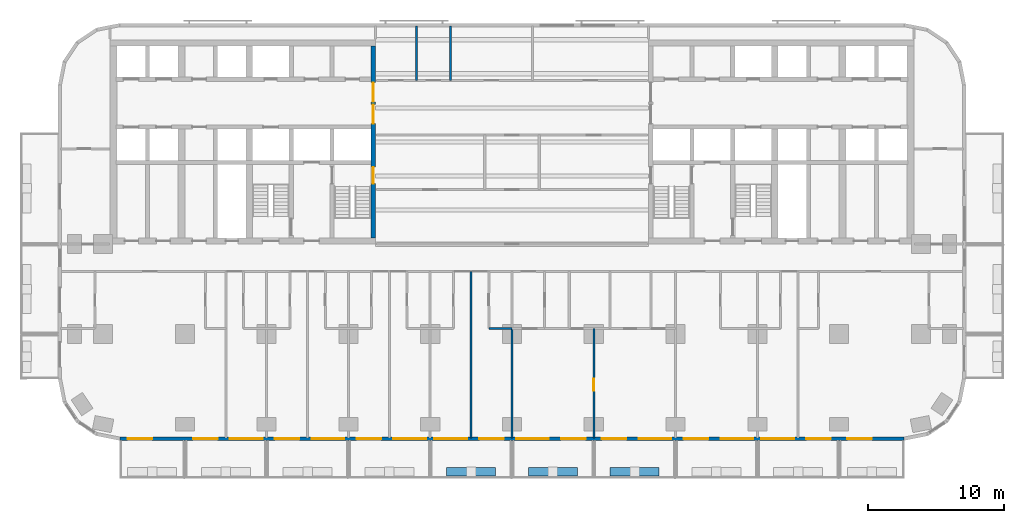
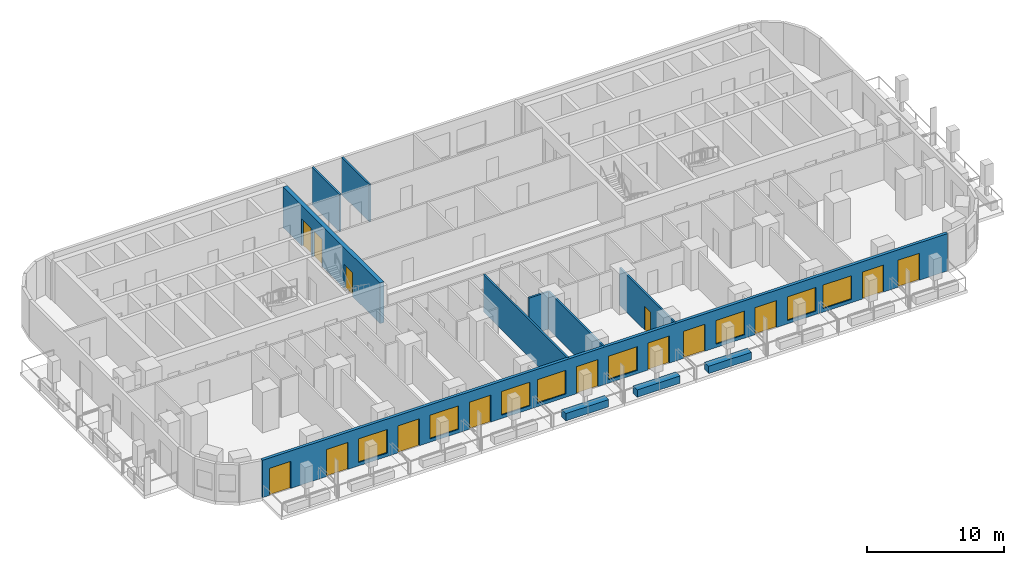
# One storey, part 4 of 13: 14 doors, 11 walls, 8 windows, 22 openings.
"""IFC4 building model written with IfcOpenShell, lengths in metres."""

from ifc_helpers import new_model, si_unit, direction, frame, frame_2d, origin, place, context, subcontext, project, spatial, rectangle, extrude, material, layer, layer_set, type_object, element, fill, save


model = new_model("IFC4")

# Units and contexts
model_context = context("Model", 3, precision=1e-05, world=origin(), true_north=direction((0.0, 1.0)))
body_context = subcontext(model_context, "Body", "Model", "MODEL_VIEW")
ifc_project = project(units=[si_unit("LENGTHUNIT", "METRE"), si_unit("AREAUNIT", "SQUARE_METRE"), si_unit("VOLUMEUNIT", "CUBIC_METRE"), si_unit("PLANEANGLEUNIT", "RADIAN"), si_unit("MASSUNIT", "GRAM", prefix="KILO")], contexts=[model_context])

# Site, building, storey
site_placement = place(None, origin())
site = spatial("IfcSite", under=ifc_project, at=site_placement, CompositionType="ELEMENT")
building_placement = place(site_placement, origin())
building = spatial("IfcBuilding", under=site, at=building_placement, Name="Torana Hotel and Residences", CompositionType="ELEMENT")
storey_placement = place(building_placement, frame((0.0, 0.0, 56.39990234375)))
storey = spatial("IfcBuildingStorey", under=building, at=storey_placement, Name="L13", CompositionType="ELEMENT", Elevation=56.39990234375)

# Wall, openings, doors
ifc_material_1 = material(Name="Concrete C80/95", Category="concrete")
ifc_layer_1 = layer(ifc_material_1, 0.35009765625)
ifc_layer_set_1 = layer_set([ifc_layer_1], Name="CORE WALL 350 C80/95")
wall_type_1 = type_object("IfcWallType", Name="CORE WALL 350 C80/95", PredefinedType="SHEAR", material=ifc_layer_set_1)
wall_1_placement = place(storey_placement, frame((-10.175048828125, -14.550048828125, 0.0), z_axis=(0.0, 0.0, 1.0), x_axis=(0.0, 1.0, 0.0)))
wall_1 = element("IfcWall", 1, at=wall_1_placement, inside=storey, type_object=wall_type_1, Name="Core wall W arch", PredefinedType="SHEAR", context=body_context, shape_type="SweptSolid", body=[
    extrude(rectangle(XDim=14.10009765625, YDim=0.35009765625, at=frame_2d((7.050048828125, 0.0))), origin(), (0.0, 0.0, 1.0), 3.60009765625),
])
opening_1_placement = place(wall_1_placement, frame((8.39990234375, 0.0, 0.0)))
opening_1 = element("IfcOpeningElement", 2, at=opening_1_placement, cuts=wall_1, Name="Opening L13-01", PredefinedType="OPENING", context=body_context, shape_type="SweptSolid", body=[
    extrude(rectangle(XDim=1.39990234375, YDim=2.39990234375, at=frame_2d((0.699951171875, 1.199951171875))), frame((0.0, 0.18505859375, 0.0), z_axis=(0.0, -1.0, 0.0), x_axis=(1.0, 0.0, 0.0)), (0.0, 0.0, 1.0), 0.3701171875),
])
opening_2_placement = place(wall_1_placement, frame((10.0, 0.0, 0.0)))
opening_2 = element("IfcOpeningElement", 3, at=opening_2_placement, cuts=wall_1, Name="Opening L13-02", PredefinedType="OPENING", context=body_context, shape_type="SweptSolid", body=[
    extrude(rectangle(XDim=1.39990234375, YDim=2.39990234375, at=frame_2d((0.699951171875, 1.199951171875))), frame((0.0, 0.18505859375, 0.0), z_axis=(0.0, -1.0, 0.0), x_axis=(1.0, 0.0, 0.0)), (0.0, 0.0, 1.0), 0.3701171875),
])
opening_3_placement = place(wall_1_placement, frame((4.0, 0.0, 0.0)))
opening_3 = element("IfcOpeningElement", 4, at=opening_3_placement, cuts=wall_1, Name="Opening L13-03", PredefinedType="OPENING", context=body_context, shape_type="SweptSolid", body=[
    extrude(rectangle(XDim=1.199951171875, YDim=2.10009765625, at=frame_2d((0.60009765625, 1.050048828125))), frame((0.0, 0.18505859375, 0.0), z_axis=(0.0, -1.0, 0.0), x_axis=(1.0, 0.0, 0.0)), (0.0, 0.0, 1.0), 0.3701171875),
])
ifc_material_2 = material(Name="Steel S235", Category="steel")
door_type_1 = type_object("IfcDoorType", Name="LOBBY FIRE DOOR D4 1400x2400", OperationType="DOUBLE_DOOR_SINGLE_SWING", PredefinedType="DOOR", material=ifc_material_2)
door_1_placement = place(opening_1_placement, origin())
door_1 = element("IfcDoor", 5, at=door_1_placement, inside=storey, type_object=door_type_1, Name="Lobby-1 door L13", OperationType="DOUBLE_DOOR_SINGLE_SWING", OverallHeight=2.39990234375, OverallWidth=1.39990234375, PredefinedType="DOOR", context=body_context, shape_type="SweptSolid", body=[
    extrude(rectangle(XDim=1.39990234375, YDim=2.39990234375, at=frame_2d((0.699951171875, 1.199951171875))), frame((0.0, 0.02490234375, 0.0), z_axis=(0.0, -1.0, 0.0), x_axis=(1.0, 0.0, 0.0)), (0.0, 0.0, 1.0), 0.050048828125),
])
fill(opening_1, door_1)
door_2_placement = place(opening_2_placement, origin())
door_2 = element("IfcDoor", 6, at=door_2_placement, inside=storey, type_object=door_type_1, Name="Lobby-2 door L13", OperationType="DOUBLE_DOOR_SINGLE_SWING", OverallHeight=2.39990234375, OverallWidth=1.39990234375, PredefinedType="DOOR", context=body_context, shape_type="SweptSolid", body=[
    extrude(rectangle(XDim=1.39990234375, YDim=2.39990234375, at=frame_2d((0.699951171875, 1.199951171875))), frame((0.0, 0.02490234375, 0.0), z_axis=(0.0, -1.0, 0.0), x_axis=(1.0, 0.0, 0.0)), (0.0, 0.0, 1.0), 0.050048828125),
])
fill(opening_2, door_2)
ifc_material_3 = material(Name="Steel S235", Category="steel")
door_type_2 = type_object("IfcDoorType", Name="STAIR FIRE DOOR D3 1200x2100", OperationType="SINGLE_SWING_LEFT", PredefinedType="DOOR", material=ifc_material_3)
door_3_placement = place(opening_3_placement, origin())
door_3 = element("IfcDoor", 7, at=door_3_placement, inside=storey, type_object=door_type_2, Name="Stair-A door L13", OperationType="SINGLE_SWING_LEFT", OverallHeight=2.10009765625, OverallWidth=1.199951171875, PredefinedType="DOOR", context=body_context, shape_type="SweptSolid", body=[
    extrude(rectangle(XDim=1.199951171875, YDim=2.10009765625, at=frame_2d((0.60009765625, 1.050048828125))), frame((0.0, 0.02490234375, 0.0), z_axis=(0.0, -1.0, 0.0), x_axis=(1.0, 0.0, 0.0)), (0.0, 0.0, 1.0), 0.050048828125),
])
fill(opening_3, door_3)

# Wall, openings, doors, windows
ifc_material_4 = material(Name="Black aluminium composite panel", Category="aluminium")
ifc_layer_2 = layer(ifc_material_4, 0.00390625, Name="Cladding", Category="cladding")
ifc_material_5 = material(Name="Ventilated air cavity")
ifc_layer_3 = layer(ifc_material_5, 0.0400390625, Name="Ventilated cavity", Category="cavity")
ifc_material_6 = material(Name="Mineral wool insulation")
ifc_layer_4 = layer(ifc_material_6, 0.090087890625, Name="Insulation", Category="insulation")
ifc_material_7 = material(Name="Steel S280GD", Category="steel")
ifc_layer_5 = layer(ifc_material_7, 0.092041015625, Name="Steel stud frame", Category="structure")
ifc_material_8 = material(Name="Fire rated plasterboard")
ifc_layer_6 = layer(ifc_material_8, 0.011962890625, Name="Inner board", Category="finish")
ifc_layer_7 = layer(ifc_material_8, 0.011962890625, Name="Second board", Category="finish")
ifc_layer_set_2 = layer_set([ifc_layer_2, ifc_layer_3, ifc_layer_4, ifc_layer_5, ifc_layer_6, ifc_layer_7], Name="EW1 EXTERNAL WALL BLACK METAL CLAD 250")
wall_type_2 = type_object("IfcWallType", Name="EW1 EXTERNAL WALL BLACK METAL CLAD 250", PredefinedType="SOLIDWALL", material=ifc_layer_set_2)
wall_2_placement = place(storey_placement, frame((-28.775390625, -29.27490234375, 0.0), z_axis=(0.0, 0.0, 1.0), x_axis=(1.0, 0.0, 0.0)))
wall_2 = element("IfcWall", 8, at=wall_2_placement, inside=storey, type_object=wall_type_2, Name="External wall L13 e0.14", PredefinedType="SOLIDWALL", context=body_context, shape_type="SweptSolid", body=[
    extrude(rectangle(XDim=57.55078125, YDim=0.25, at=frame_2d((28.775390625, 0.0))), origin(), (0.0, 0.0, 1.0), 3.320068359375),
])
opening_4_placement = place(wall_2_placement, frame((0.575439453125, 0.0, 0.0)))
opening_4 = element("IfcOpeningElement", 9, at=opening_4_placement, cuts=wall_2, Name="Opening L13-E01", PredefinedType="OPENING", context=body_context, shape_type="SweptSolid", body=[
    extrude(rectangle(XDim=1.800048828125, YDim=2.39990234375, at=frame_2d((0.89990234375, 1.199951171875))), frame((0.0, 0.135009765625, 0.0), z_axis=(0.0, -1.0, 0.0), x_axis=(1.0, 0.0, 0.0)), (0.0, 0.0, 1.0), 0.27001953125),
])
opening_5_placement = place(wall_2_placement, frame((5.37548828125, 0.0, 0.0)))
opening_5 = element("IfcOpeningElement", 10, at=opening_5_placement, cuts=wall_2, Name="Opening L13-E02", PredefinedType="OPENING", context=body_context, shape_type="SweptSolid", body=[
    extrude(rectangle(XDim=1.800048828125, YDim=2.39990234375, at=frame_2d((0.89990234375, 1.199951171875))), frame((0.0, 0.135009765625, 0.0), z_axis=(0.0, -1.0, 0.0), x_axis=(1.0, 0.0, 0.0)), (0.0, 0.0, 1.0), 0.27001953125),
])
opening_6_placement = place(wall_2_placement, frame((8.075439453125, 0.0, 0.300048828125)))
opening_6 = element("IfcOpeningElement", 11, at=opening_6_placement, cuts=wall_2, Name="Opening W1", PredefinedType="OPENING", context=body_context, shape_type="SweptSolid", body=[
    extrude(rectangle(XDim=2.39990234375, YDim=2.10009765625, at=frame_2d((1.199951171875, 1.050048828125))), frame((0.0, 0.135009765625, 0.0), z_axis=(0.0, -1.0, 0.0), x_axis=(1.0, 0.0, 0.0)), (0.0, 0.0, 1.0), 0.27001953125),
])
opening_7_placement = place(wall_2_placement, frame((11.37548828125, 0.0, 0.0)))
opening_7 = element("IfcOpeningElement", 12, at=opening_7_placement, cuts=wall_2, Name="Opening L13-E03", PredefinedType="OPENING", context=body_context, shape_type="SweptSolid", body=[
    extrude(rectangle(XDim=1.800048828125, YDim=2.39990234375, at=frame_2d((0.89990234375, 1.199951171875))), frame((0.0, 0.135009765625, 0.0), z_axis=(0.0, -1.0, 0.0), x_axis=(1.0, 0.0, 0.0)), (0.0, 0.0, 1.0), 0.27001953125),
])
opening_8_placement = place(wall_2_placement, frame((14.075439453125, 0.0, 0.300048828125)))
opening_8 = element("IfcOpeningElement", 13, at=opening_8_placement, cuts=wall_2, Name="Opening W1", PredefinedType="OPENING", context=body_context, shape_type="SweptSolid", body=[
    extrude(rectangle(XDim=2.39990234375, YDim=2.10009765625, at=frame_2d((1.199951171875, 1.050048828125))), frame((0.0, 0.135009765625, 0.0), z_axis=(0.0, -1.0, 0.0), x_axis=(1.0, 0.0, 0.0)), (0.0, 0.0, 1.0), 0.27001953125),
])
opening_9_placement = place(wall_2_placement, frame((17.37548828125, 0.0, 0.0)))
opening_9 = element("IfcOpeningElement", 14, at=opening_9_placement, cuts=wall_2, Name="Opening L13-E04", PredefinedType="OPENING", context=body_context, shape_type="SweptSolid", body=[
    extrude(rectangle(XDim=1.800048828125, YDim=2.39990234375, at=frame_2d((0.89990234375, 1.199951171875))), frame((0.0, 0.135009765625, 0.0), z_axis=(0.0, -1.0, 0.0), x_axis=(1.0, 0.0, 0.0)), (0.0, 0.0, 1.0), 0.27001953125),
])
opening_10_placement = place(wall_2_placement, frame((20.075439453125, 0.0, 0.300048828125)))
opening_10 = element("IfcOpeningElement", 15, at=opening_10_placement, cuts=wall_2, Name="Opening W1", PredefinedType="OPENING", context=body_context, shape_type="SweptSolid", body=[
    extrude(rectangle(XDim=2.39990234375, YDim=2.10009765625, at=frame_2d((1.199951171875, 1.050048828125))), frame((0.0, 0.135009765625, 0.0), z_axis=(0.0, -1.0, 0.0), x_axis=(1.0, 0.0, 0.0)), (0.0, 0.0, 1.0), 0.27001953125),
])
opening_11_placement = place(wall_2_placement, frame((23.075439453125, 0.0, 0.300048828125)))
opening_11 = element("IfcOpeningElement", 16, at=opening_11_placement, cuts=wall_2, Name="Opening W1", PredefinedType="OPENING", context=body_context, shape_type="SweptSolid", body=[
    extrude(rectangle(XDim=2.39990234375, YDim=2.10009765625, at=frame_2d((1.199951171875, 1.050048828125))), frame((0.0, 0.135009765625, 0.0), z_axis=(0.0, -1.0, 0.0), x_axis=(1.0, 0.0, 0.0)), (0.0, 0.0, 1.0), 0.27001953125),
])
opening_12_placement = place(wall_2_placement, frame((26.37548828125, 0.0, 0.0)))
opening_12 = element("IfcOpeningElement", 17, at=opening_12_placement, cuts=wall_2, Name="Opening L13-E05", PredefinedType="OPENING", context=body_context, shape_type="SweptSolid", body=[
    extrude(rectangle(XDim=1.800048828125, YDim=2.39990234375, at=frame_2d((0.89990234375, 1.199951171875))), frame((0.0, 0.135009765625, 0.0), z_axis=(0.0, -1.0, 0.0), x_axis=(1.0, 0.0, 0.0)), (0.0, 0.0, 1.0), 0.27001953125),
])
opening_13_placement = place(wall_2_placement, frame((29.075439453125, 0.0, 0.300048828125)))
opening_13 = element("IfcOpeningElement", 18, at=opening_13_placement, cuts=wall_2, Name="Opening W1", PredefinedType="OPENING", context=body_context, shape_type="SweptSolid", body=[
    extrude(rectangle(XDim=2.39990234375, YDim=2.10009765625, at=frame_2d((1.199951171875, 1.050048828125))), frame((0.0, 0.135009765625, 0.0), z_axis=(0.0, -1.0, 0.0), x_axis=(1.0, 0.0, 0.0)), (0.0, 0.0, 1.0), 0.27001953125),
])
opening_14_placement = place(wall_2_placement, frame((32.37548828125, 0.0, 0.0)))
opening_14 = element("IfcOpeningElement", 19, at=opening_14_placement, cuts=wall_2, Name="Opening L13-E06", PredefinedType="OPENING", context=body_context, shape_type="SweptSolid", body=[
    extrude(rectangle(XDim=1.800048828125, YDim=2.39990234375, at=frame_2d((0.89990234375, 1.199951171875))), frame((0.0, 0.135009765625, 0.0), z_axis=(0.0, -1.0, 0.0), x_axis=(1.0, 0.0, 0.0)), (0.0, 0.0, 1.0), 0.27001953125),
])
opening_15_placement = place(wall_2_placement, frame((35.37548828125, 0.0, 0.0)))
opening_15 = element("IfcOpeningElement", 20, at=opening_15_placement, cuts=wall_2, Name="Opening L13-E07", PredefinedType="OPENING", context=body_context, shape_type="SweptSolid", body=[
    extrude(rectangle(XDim=1.800048828125, YDim=2.39990234375, at=frame_2d((0.89990234375, 1.199951171875))), frame((0.0, 0.135009765625, 0.0), z_axis=(0.0, -1.0, 0.0), x_axis=(1.0, 0.0, 0.0)), (0.0, 0.0, 1.0), 0.27001953125),
])
opening_16_placement = place(wall_2_placement, frame((38.075439453125, 0.0, 0.300048828125)))
opening_16 = element("IfcOpeningElement", 21, at=opening_16_placement, cuts=wall_2, Name="Opening W1", PredefinedType="OPENING", context=body_context, shape_type="SweptSolid", body=[
    extrude(rectangle(XDim=2.39990234375, YDim=2.10009765625, at=frame_2d((1.199951171875, 1.050048828125))), frame((0.0, 0.135009765625, 0.0), z_axis=(0.0, -1.0, 0.0), x_axis=(1.0, 0.0, 0.0)), (0.0, 0.0, 1.0), 0.27001953125),
])
opening_17_placement = place(wall_2_placement, frame((41.37548828125, 0.0, 0.0)))
opening_17 = element("IfcOpeningElement", 22, at=opening_17_placement, cuts=wall_2, Name="Opening L13-E08", PredefinedType="OPENING", context=body_context, shape_type="SweptSolid", body=[
    extrude(rectangle(XDim=1.800048828125, YDim=2.39990234375, at=frame_2d((0.89990234375, 1.199951171875))), frame((0.0, 0.135009765625, 0.0), z_axis=(0.0, -1.0, 0.0), x_axis=(1.0, 0.0, 0.0)), (0.0, 0.0, 1.0), 0.27001953125),
])
opening_18_placement = place(wall_2_placement, frame((44.075439453125, 0.0, 0.300048828125)))
opening_18 = element("IfcOpeningElement", 23, at=opening_18_placement, cuts=wall_2, Name="Opening W1", PredefinedType="OPENING", context=body_context, shape_type="SweptSolid", body=[
    extrude(rectangle(XDim=2.39990234375, YDim=2.10009765625, at=frame_2d((1.199951171875, 1.050048828125))), frame((0.0, 0.135009765625, 0.0), z_axis=(0.0, -1.0, 0.0), x_axis=(1.0, 0.0, 0.0)), (0.0, 0.0, 1.0), 0.27001953125),
])
opening_19_placement = place(wall_2_placement, frame((47.075439453125, 0.0, 0.300048828125)))
opening_19 = element("IfcOpeningElement", 24, at=opening_19_placement, cuts=wall_2, Name="Opening W1", PredefinedType="OPENING", context=body_context, shape_type="SweptSolid", body=[
    extrude(rectangle(XDim=2.39990234375, YDim=2.10009765625, at=frame_2d((1.199951171875, 1.050048828125))), frame((0.0, 0.135009765625, 0.0), z_axis=(0.0, -1.0, 0.0), x_axis=(1.0, 0.0, 0.0)), (0.0, 0.0, 1.0), 0.27001953125),
])
opening_20_placement = place(wall_2_placement, frame((50.37548828125, 0.0, 0.0)))
opening_20 = element("IfcOpeningElement", 25, at=opening_20_placement, cuts=wall_2, Name="Opening L13-E09", PredefinedType="OPENING", context=body_context, shape_type="SweptSolid", body=[
    extrude(rectangle(XDim=1.800048828125, YDim=2.39990234375, at=frame_2d((0.89990234375, 1.199951171875))), frame((0.0, 0.135009765625, 0.0), z_axis=(0.0, -1.0, 0.0), x_axis=(1.0, 0.0, 0.0)), (0.0, 0.0, 1.0), 0.27001953125),
])
opening_21_placement = place(wall_2_placement, frame((53.37548828125, 0.0, 0.0)))
opening_21 = element("IfcOpeningElement", 26, at=opening_21_placement, cuts=wall_2, Name="Opening L13-E10", PredefinedType="OPENING", context=body_context, shape_type="SweptSolid", body=[
    extrude(rectangle(XDim=1.800048828125, YDim=2.39990234375, at=frame_2d((0.89990234375, 1.199951171875))), frame((0.0, 0.135009765625, 0.0), z_axis=(0.0, -1.0, 0.0), x_axis=(1.0, 0.0, 0.0)), (0.0, 0.0, 1.0), 0.27001953125),
])
ifc_material_9 = material(Name="Dark glass in black aluminium frame", Category="aluminium")
door_type_3 = type_object("IfcDoorType", Name="DB1 BALCONY DOOR 1800x2400", OperationType="DOUBLE_DOOR_SINGLE_SWING", PredefinedType="DOOR", material=ifc_material_9)
door_4_placement = place(opening_4_placement, origin())
door_4 = element("IfcDoor", 27, at=door_4_placement, inside=storey, type_object=door_type_3, Name="Balcony door L13", OperationType="DOUBLE_DOOR_SINGLE_SWING", OverallHeight=2.39990234375, OverallWidth=1.800048828125, PredefinedType="DOOR", context=body_context, shape_type="SweptSolid", body=[
    extrude(rectangle(XDim=1.800048828125, YDim=2.39990234375, at=frame_2d((0.89990234375, 1.199951171875))), frame((0.0, 0.02490234375, 0.0), z_axis=(0.0, -1.0, 0.0), x_axis=(1.0, 0.0, 0.0)), (0.0, 0.0, 1.0), 0.050048828125),
])
fill(opening_4, door_4)
door_5_placement = place(opening_5_placement, frame((0.89990234375, 0.0, 0.0), z_axis=(0.0, 0.0, 1.0), x_axis=(-1.0, 0.0, 0.0)))
door_5 = element("IfcDoor", 28, at=door_5_placement, inside=storey, type_object=door_type_3, Name="Balcony door L13", OperationType="DOUBLE_DOOR_SINGLE_SWING", OverallHeight=2.39990234375, OverallWidth=1.800048828125, PredefinedType="DOOR", context=body_context, shape_type="SweptSolid", body=[
    extrude(rectangle(XDim=1.800048828125, YDim=2.39990234375, at=frame_2d((0.0, 1.199951171875))), frame((0.0, -0.02490234375, 0.0), z_axis=(0.0, 1.0, 0.0), x_axis=(-1.0, 0.0, 0.0)), (0.0, 0.0, 1.0), 0.050048828125),
])
fill(opening_5, door_5)
door_6_placement = place(opening_7_placement, frame((0.89990234375, 0.0, 0.0), z_axis=(0.0, 0.0, 1.0), x_axis=(-1.0, 0.0, 0.0)))
door_6 = element("IfcDoor", 29, at=door_6_placement, inside=storey, type_object=door_type_3, Name="Balcony door L13", OperationType="DOUBLE_DOOR_SINGLE_SWING", OverallHeight=2.39990234375, OverallWidth=1.800048828125, PredefinedType="DOOR", context=body_context, shape_type="SweptSolid", body=[
    extrude(rectangle(XDim=1.800048828125, YDim=2.39990234375, at=frame_2d((0.0, 1.199951171875))), frame((0.0, -0.02490234375, 0.0), z_axis=(0.0, 1.0, 0.0), x_axis=(-1.0, 0.0, 0.0)), (0.0, 0.0, 1.0), 0.050048828125),
])
fill(opening_7, door_6)
door_7_placement = place(opening_9_placement, frame((0.89990234375, 0.0, 0.0), z_axis=(0.0, 0.0, 1.0), x_axis=(-1.0, 0.0, 0.0)))
door_7 = element("IfcDoor", 30, at=door_7_placement, inside=storey, type_object=door_type_3, Name="Balcony door L13", OperationType="DOUBLE_DOOR_SINGLE_SWING", OverallHeight=2.39990234375, OverallWidth=1.800048828125, PredefinedType="DOOR", context=body_context, shape_type="SweptSolid", body=[
    extrude(rectangle(XDim=1.800048828125, YDim=2.39990234375, at=frame_2d((0.0, 1.199951171875))), frame((0.0, -0.02490234375, 0.0), z_axis=(0.0, 1.0, 0.0), x_axis=(-1.0, 0.0, 0.0)), (0.0, 0.0, 1.0), 0.050048828125),
])
fill(opening_9, door_7)
door_8_placement = place(opening_12_placement, frame((0.89990234375, 0.0, 0.0), z_axis=(0.0, 0.0, 1.0), x_axis=(-1.0, 0.0, 0.0)))
door_8 = element("IfcDoor", 31, at=door_8_placement, inside=storey, type_object=door_type_3, Name="Balcony door L13", OperationType="DOUBLE_DOOR_SINGLE_SWING", OverallHeight=2.39990234375, OverallWidth=1.800048828125, PredefinedType="DOOR", context=body_context, shape_type="SweptSolid", body=[
    extrude(rectangle(XDim=1.800048828125, YDim=2.39990234375, at=frame_2d((0.0, 1.199951171875))), frame((0.0, -0.02490234375, 0.0), z_axis=(0.0, 1.0, 0.0), x_axis=(-1.0, 0.0, 0.0)), (0.0, 0.0, 1.0), 0.050048828125),
])
fill(opening_12, door_8)
door_9_placement = place(opening_14_placement, frame((0.89990234375, 0.0, 0.0), z_axis=(0.0, 0.0, 1.0), x_axis=(-1.0, 0.0, 0.0)))
door_9 = element("IfcDoor", 32, at=door_9_placement, inside=storey, type_object=door_type_3, Name="Balcony door L13", OperationType="DOUBLE_DOOR_SINGLE_SWING", OverallHeight=2.39990234375, OverallWidth=1.800048828125, PredefinedType="DOOR", context=body_context, shape_type="SweptSolid", body=[
    extrude(rectangle(XDim=1.800048828125, YDim=2.39990234375, at=frame_2d((0.0, 1.199951171875))), frame((0.0, -0.02490234375, 0.0), z_axis=(0.0, 1.0, 0.0), x_axis=(-1.0, 0.0, 0.0)), (0.0, 0.0, 1.0), 0.050048828125),
])
fill(opening_14, door_9)
door_10_placement = place(opening_15_placement, frame((0.89990234375, 0.0, 0.0), z_axis=(0.0, 0.0, 1.0), x_axis=(-1.0, 0.0, 0.0)))
door_10 = element("IfcDoor", 33, at=door_10_placement, inside=storey, type_object=door_type_3, Name="Balcony door L13", OperationType="DOUBLE_DOOR_SINGLE_SWING", OverallHeight=2.39990234375, OverallWidth=1.800048828125, PredefinedType="DOOR", context=body_context, shape_type="SweptSolid", body=[
    extrude(rectangle(XDim=1.800048828125, YDim=2.39990234375, at=frame_2d((0.0, 1.199951171875))), frame((0.0, -0.02490234375, 0.0), z_axis=(0.0, 1.0, 0.0), x_axis=(-1.0, 0.0, 0.0)), (0.0, 0.0, 1.0), 0.050048828125),
])
fill(opening_15, door_10)
door_11_placement = place(opening_17_placement, frame((0.89990234375, 0.0, 0.0), z_axis=(0.0, 0.0, 1.0), x_axis=(-1.0, 0.0, 0.0)))
door_11 = element("IfcDoor", 34, at=door_11_placement, inside=storey, type_object=door_type_3, Name="Balcony door L13", OperationType="DOUBLE_DOOR_SINGLE_SWING", OverallHeight=2.39990234375, OverallWidth=1.800048828125, PredefinedType="DOOR", context=body_context, shape_type="SweptSolid", body=[
    extrude(rectangle(XDim=1.800048828125, YDim=2.39990234375, at=frame_2d((0.0, 1.199951171875))), frame((0.0, -0.02490234375, 0.0), z_axis=(0.0, 1.0, 0.0), x_axis=(-1.0, 0.0, 0.0)), (0.0, 0.0, 1.0), 0.050048828125),
])
fill(opening_17, door_11)
door_12_placement = place(opening_20_placement, frame((0.89990234375, 0.0, 0.0), z_axis=(0.0, 0.0, 1.0), x_axis=(-1.0, 0.0, 0.0)))
door_12 = element("IfcDoor", 35, at=door_12_placement, inside=storey, type_object=door_type_3, Name="Balcony door L13", OperationType="DOUBLE_DOOR_SINGLE_SWING", OverallHeight=2.39990234375, OverallWidth=1.800048828125, PredefinedType="DOOR", context=body_context, shape_type="SweptSolid", body=[
    extrude(rectangle(XDim=1.800048828125, YDim=2.39990234375, at=frame_2d((0.0, 1.199951171875))), frame((0.0, -0.02490234375, 0.0), z_axis=(0.0, 1.0, 0.0), x_axis=(-1.0, 0.0, 0.0)), (0.0, 0.0, 1.0), 0.050048828125),
])
fill(opening_20, door_12)
door_13_placement = place(opening_21_placement, frame((0.89990234375, 0.0, 0.0), z_axis=(0.0, 0.0, 1.0), x_axis=(-1.0, 0.0, 0.0)))
door_13 = element("IfcDoor", 36, at=door_13_placement, inside=storey, type_object=door_type_3, Name="Balcony door L13", OperationType="DOUBLE_DOOR_SINGLE_SWING", OverallHeight=2.39990234375, OverallWidth=1.800048828125, PredefinedType="DOOR", context=body_context, shape_type="SweptSolid", body=[
    extrude(rectangle(XDim=1.800048828125, YDim=2.39990234375, at=frame_2d((0.0, 1.199951171875))), frame((0.0, -0.02490234375, 0.0), z_axis=(0.0, 1.0, 0.0), x_axis=(-1.0, 0.0, 0.0)), (0.0, 0.0, 1.0), 0.050048828125),
])
fill(opening_21, door_13)
ifc_material_10 = material(Name="Dark glass in black aluminium frame", Category="aluminium")
window_type = type_object("IfcWindowType", Name="W1 HOTEL ROOM WINDOW 2400x2100", PartitioningType="SINGLE_PANEL", PredefinedType="WINDOW", material=ifc_material_10)
window_1_placement = place(opening_6_placement, origin())
window_1 = element("IfcWindow", 37, at=window_1_placement, inside=storey, type_object=window_type, Name="Window L13", OverallHeight=2.10009765625, OverallWidth=2.39990234375, PartitioningType="SINGLE_PANEL", PredefinedType="WINDOW", context=body_context, shape_type="SweptSolid", body=[
    extrude(rectangle(XDim=2.39990234375, YDim=2.10009765625, at=frame_2d((1.199951171875, 1.050048828125))), frame((0.0, 0.030029296875, 0.0), z_axis=(0.0, -1.0, 0.0), x_axis=(1.0, 0.0, 0.0)), (0.0, 0.0, 1.0), 0.06005859375),
])
fill(opening_6, window_1)
window_2_placement = place(opening_8_placement, origin())
window_2 = element("IfcWindow", 38, at=window_2_placement, inside=storey, type_object=window_type, Name="Window L13", OverallHeight=2.10009765625, OverallWidth=2.39990234375, PartitioningType="SINGLE_PANEL", PredefinedType="WINDOW", context=body_context, shape_type="SweptSolid", body=[
    extrude(rectangle(XDim=2.39990234375, YDim=2.10009765625, at=frame_2d((1.199951171875, 1.050048828125))), frame((0.0, 0.030029296875, 0.0), z_axis=(0.0, -1.0, 0.0), x_axis=(1.0, 0.0, 0.0)), (0.0, 0.0, 1.0), 0.06005859375),
])
fill(opening_8, window_2)
window_3_placement = place(opening_10_placement, origin())
window_3 = element("IfcWindow", 39, at=window_3_placement, inside=storey, type_object=window_type, Name="Window L13", OverallHeight=2.10009765625, OverallWidth=2.39990234375, PartitioningType="SINGLE_PANEL", PredefinedType="WINDOW", context=body_context, shape_type="SweptSolid", body=[
    extrude(rectangle(XDim=2.39990234375, YDim=2.10009765625, at=frame_2d((1.199951171875, 1.050048828125))), frame((0.0, 0.030029296875, 0.0), z_axis=(0.0, -1.0, 0.0), x_axis=(1.0, 0.0, 0.0)), (0.0, 0.0, 1.0), 0.06005859375),
])
fill(opening_10, window_3)
window_4_placement = place(opening_11_placement, origin())
window_4 = element("IfcWindow", 40, at=window_4_placement, inside=storey, type_object=window_type, Name="Window L13", OverallHeight=2.10009765625, OverallWidth=2.39990234375, PartitioningType="SINGLE_PANEL", PredefinedType="WINDOW", context=body_context, shape_type="SweptSolid", body=[
    extrude(rectangle(XDim=2.39990234375, YDim=2.10009765625, at=frame_2d((1.199951171875, 1.050048828125))), frame((0.0, 0.030029296875, 0.0), z_axis=(0.0, -1.0, 0.0), x_axis=(1.0, 0.0, 0.0)), (0.0, 0.0, 1.0), 0.06005859375),
])
fill(opening_11, window_4)
window_5_placement = place(opening_13_placement, origin())
window_5 = element("IfcWindow", 41, at=window_5_placement, inside=storey, type_object=window_type, Name="Window L13", OverallHeight=2.10009765625, OverallWidth=2.39990234375, PartitioningType="SINGLE_PANEL", PredefinedType="WINDOW", context=body_context, shape_type="SweptSolid", body=[
    extrude(rectangle(XDim=2.39990234375, YDim=2.10009765625, at=frame_2d((1.199951171875, 1.050048828125))), frame((0.0, 0.030029296875, 0.0), z_axis=(0.0, -1.0, 0.0), x_axis=(1.0, 0.0, 0.0)), (0.0, 0.0, 1.0), 0.06005859375),
])
fill(opening_13, window_5)
window_6_placement = place(opening_16_placement, origin())
window_6 = element("IfcWindow", 42, at=window_6_placement, inside=storey, type_object=window_type, Name="Window L13", OverallHeight=2.10009765625, OverallWidth=2.39990234375, PartitioningType="SINGLE_PANEL", PredefinedType="WINDOW", context=body_context, shape_type="SweptSolid", body=[
    extrude(rectangle(XDim=2.39990234375, YDim=2.10009765625, at=frame_2d((1.199951171875, 1.050048828125))), frame((0.0, 0.030029296875, 0.0), z_axis=(0.0, -1.0, 0.0), x_axis=(1.0, 0.0, 0.0)), (0.0, 0.0, 1.0), 0.06005859375),
])
fill(opening_16, window_6)
window_7_placement = place(opening_18_placement, origin())
window_7 = element("IfcWindow", 43, at=window_7_placement, inside=storey, type_object=window_type, Name="Window L13", OverallHeight=2.10009765625, OverallWidth=2.39990234375, PartitioningType="SINGLE_PANEL", PredefinedType="WINDOW", context=body_context, shape_type="SweptSolid", body=[
    extrude(rectangle(XDim=2.39990234375, YDim=2.10009765625, at=frame_2d((1.199951171875, 1.050048828125))), frame((0.0, 0.030029296875, 0.0), z_axis=(0.0, -1.0, 0.0), x_axis=(1.0, 0.0, 0.0)), (0.0, 0.0, 1.0), 0.06005859375),
])
fill(opening_18, window_7)
window_8_placement = place(opening_19_placement, origin())
window_8 = element("IfcWindow", 44, at=window_8_placement, inside=storey, type_object=window_type, Name="Window L13", OverallHeight=2.10009765625, OverallWidth=2.39990234375, PartitioningType="SINGLE_PANEL", PredefinedType="WINDOW", context=body_context, shape_type="SweptSolid", body=[
    extrude(rectangle(XDim=2.39990234375, YDim=2.10009765625, at=frame_2d((1.199951171875, 1.050048828125))), frame((0.0, 0.030029296875, 0.0), z_axis=(0.0, -1.0, 0.0), x_axis=(1.0, 0.0, 0.0)), (0.0, 0.0, 1.0), 0.06005859375),
])
fill(opening_19, window_8)

# Wall, opening, door
ifc_material_11 = material(Name="Gypsum plasterboard")
ifc_layer_8 = layer(ifc_material_11, 0.012451171875, Name="Plasterboard", Category="finish")
ifc_layer_9 = layer(ifc_material_11, 0.012451171875, Name="Plasterboard", Category="finish")
ifc_layer_10 = layer(ifc_material_7, 0.10009765625, Name="Steel studs with mineral wool", Category="insulation")
ifc_layer_11 = layer(ifc_material_11, 0.012451171875, Name="Plasterboard", Category="finish")
ifc_layer_12 = layer(ifc_material_11, 0.012451171875, Name="Plasterboard", Category="finish")
ifc_layer_set_3 = layer_set([ifc_layer_8, ifc_layer_9, ifc_layer_10, ifc_layer_11, ifc_layer_12], Name="PARTITION 150 PLASTERBOARD")
wall_type_3 = type_object("IfcWallType", Name="PARTITION 150 PLASTERBOARD", PredefinedType="PARTITIONING", material=ifc_layer_set_3)
wall_3_placement = place(storey_placement, frame((6.0, -29.219970703125, 0.0), z_axis=(0.0, 0.0, 1.0), x_axis=(0.0, 1.0, 0.0)))
wall_3 = element("IfcWall", 45, at=wall_3_placement, inside=storey, type_object=wall_type_3, Name="Partition L13", PredefinedType="PARTITIONING", context=body_context, shape_type="SweptSolid", body=[
    extrude(rectangle(XDim=8.02001953125, YDim=0.14990234375, at=frame_2d((4.010009765625, 0.0))), origin(), (0.0, 0.0, 1.0), 3.320068359375),
])
opening_22_placement = place(wall_3_placement, frame((3.449951171875, 0.0, 0.0)))
opening_22 = element("IfcOpeningElement", 46, at=opening_22_placement, cuts=wall_3, Name="Opening L13-68", PredefinedType="OPENING", context=body_context, shape_type="SweptSolid", body=[
    extrude(rectangle(XDim=0.89990234375, YDim=2.10009765625, at=frame_2d((0.449951171875, 1.050048828125))), frame((0.0, 0.0849609375, 0.0), z_axis=(0.0, -1.0, 0.0), x_axis=(1.0, 0.0, 0.0)), (0.0, 0.0, 1.0), 0.169921875),
])
ifc_material_12 = material(Name="Timber door, oiled ash", Category="wood")
door_type_4 = type_object("IfcDoorType", Name="ROOM DOOR D7 900x2100", OperationType="SINGLE_SWING_LEFT", PredefinedType="DOOR", material=ifc_material_12)
door_14_placement = place(opening_22_placement, origin())
door_14 = element("IfcDoor", 47, at=door_14_placement, inside=storey, type_object=door_type_4, Name="Door L13", OperationType="SINGLE_SWING_RIGHT", OverallHeight=2.10009765625, OverallWidth=0.89990234375, PredefinedType="DOOR", context=body_context, shape_type="SweptSolid", body=[
    extrude(rectangle(XDim=0.89990234375, YDim=2.10009765625, at=frame_2d((0.449951171875, 1.050048828125))), frame((0.0, 0.02490234375, 0.0), z_axis=(0.0, -1.0, 0.0), x_axis=(1.0, 0.0, 0.0)), (0.0, 0.0, 1.0), 0.050048828125),
])
fill(opening_22, door_14)

# Walls
wall_4_placement = place(storey_placement, frame((0.0, -29.219970703125, 0.0), z_axis=(0.0, 0.0, 1.0), x_axis=(0.0, 1.0, 0.0)))
element("IfcWall", 48, at=wall_4_placement, inside=storey, type_object=wall_type_3, Name="Partition L13", PredefinedType="PARTITIONING", context=body_context, shape_type="SweptSolid", body=[
    extrude(rectangle(XDim=8.02001953125, YDim=0.14990234375, at=frame_2d((4.010009765625, 0.0))), origin(), (0.0, 0.0, 1.0), 3.320068359375),
])
wall_5_placement = place(storey_placement, frame((-3.0, -29.219970703125, 0.0), z_axis=(0.0, 0.0, 1.0), x_axis=(0.0, 1.0, 0.0)))
element("IfcWall", 49, at=wall_5_placement, inside=storey, type_object=wall_type_3, Name="Partition L13", PredefinedType="PARTITIONING", context=body_context, shape_type="SweptSolid", body=[
    extrude(rectangle(XDim=12.219970703125, YDim=0.14990234375, at=frame_2d((6.10986328125, 0.0))), origin(), (0.0, 0.0, 1.0), 3.320068359375),
])
wall_6_placement = place(storey_placement, frame((-1.699951171875, -21.199951171875, 0.0), z_axis=(0.0, 0.0, 1.0), x_axis=(1.0, 0.0, 0.0)))
element("IfcWall", 50, at=wall_6_placement, inside=storey, type_object=wall_type_3, Name="Partition L13", PredefinedType="PARTITIONING", context=body_context, shape_type="SweptSolid", body=[
    extrude(rectangle(XDim=1.699951171875, YDim=0.14990234375, at=frame_2d((0.85009765625, 0.0))), origin(), (0.0, 0.0, 1.0), 3.320068359375),
])
ifc_material_13 = material(Name="Concrete C40/50 precast", Category="concrete")
ifc_layer_13 = layer(ifc_material_13, 0.10009765625, Name="Planter shell", Category="structure")
ifc_material_14 = material(Name="Root resistant membrane")
ifc_layer_14 = layer(ifc_material_14, 0.00390625, Name="Waterproofing membrane", Category="membrane")
ifc_material_15 = material(Name="Drainage board with filter fleece")
ifc_layer_15 = layer(ifc_material_15, 0.02001953125, Name="Drainage board", Category="drainage")
ifc_material_16 = material(Name="Growing medium")
ifc_layer_16 = layer(ifc_material_16, 0.47607421875, Name="Planting substrate", Category="soil")
ifc_layer_set_4 = layer_set([ifc_layer_13, ifc_layer_14, ifc_layer_15, ifc_layer_16], Name="PL1 BALCONY PLANTER 600")
wall_type_4 = type_object("IfcWallType", Name="PL1 BALCONY PLANTER 600", PredefinedType="USERDEFINED", material=ifc_layer_set_4)
for number, where, z_axis, x_axis, name in (
    (51, (-1.199951171875, -31.699951171875, 0.0), (0.0, 0.0, 1.0), (-1.0, 0.0, 0.0), "Planter 05"),
    (52, (4.800048828125, -31.699951171875, 0.0), (0.0, 0.0, 1.0), (-1.0, 0.0, 0.0), "Planter 06"),
    (53, (10.800048828125, -31.699951171875, 0.0), (0.0, 0.0, 1.0), (-1.0, 0.0, 0.0), "Planter 07"),
):
    element("IfcWall", number, at=place(storey_placement, frame(where, z_axis=z_axis, x_axis=x_axis)), inside=storey, type_object=wall_type_4, Name=name, ObjectType="PLANTER", PredefinedType="USERDEFINED", context=body_context, shape_type="SweptSolid", body=[
        extrude(rectangle(XDim=3.60009765625, YDim=0.60009765625, at=frame_2d((1.800048828125, 0.0))), origin(), (0.0, 0.0, 1.0), 0.650146484375),
    ])
ifc_material_17 = material(Name="Ceramic tile on adhesive")
ifc_layer_17 = layer(ifc_material_17, 0.010009765625, Name="Wall tile", Category="finish")
ifc_material_18 = material(Name="Cement render")
ifc_layer_18 = layer(ifc_material_18, 0.010009765625, Name="Render", Category="finish")
ifc_material_19 = material(Name="Concrete blockwork", Category="masonry")
ifc_layer_19 = layer(ifc_material_19, 0.110107421875, Name="Blockwork", Category="structure")
ifc_layer_20 = layer(ifc_material_18, 0.010009765625, Name="Render", Category="finish")
ifc_layer_21 = layer(ifc_material_17, 0.010009765625, Name="Wall tile", Category="finish")
ifc_layer_set_5 = layer_set([ifc_layer_17, ifc_layer_18, ifc_layer_19, ifc_layer_20, ifc_layer_21], Name="WC PARTITION 150")
wall_type_5 = type_object("IfcWallType", Name="WC PARTITION 150", PredefinedType="PLUMBINGWALL", material=ifc_layer_set_5)
for number, where, z_axis, x_axis, name in (
    (54, (-4.5, -3.0, 0.0), (0.0, 0.0, 1.0), (0.0, 1.0, 0.0), "Partition L13"),
    (55, (-7.0, -3.0, 0.0), (0.0, 0.0, 1.0), (0.0, 1.0, 0.0), "Partition L13"),
):
    element("IfcWall", number, at=place(storey_placement, frame(where, z_axis=z_axis, x_axis=x_axis)), inside=storey, type_object=wall_type_5, Name=name, PredefinedType="PLUMBINGWALL", context=body_context, shape_type="SweptSolid", body=[
        extrude(rectangle(XDim=4.02001953125, YDim=0.14990234375, at=frame_2d((2.010009765625, 0.0))), origin(), (0.0, 0.0, 1.0), 3.320068359375),
    ])

save(model, "model.ifc")
